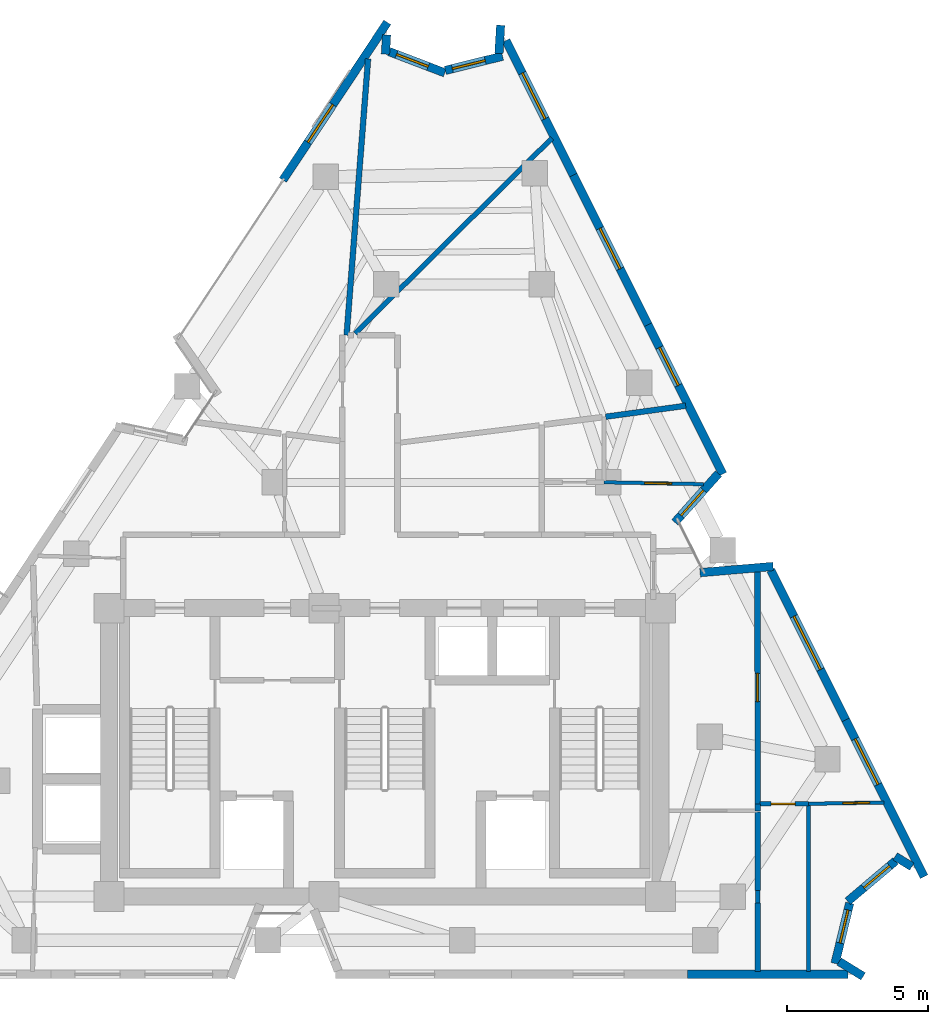
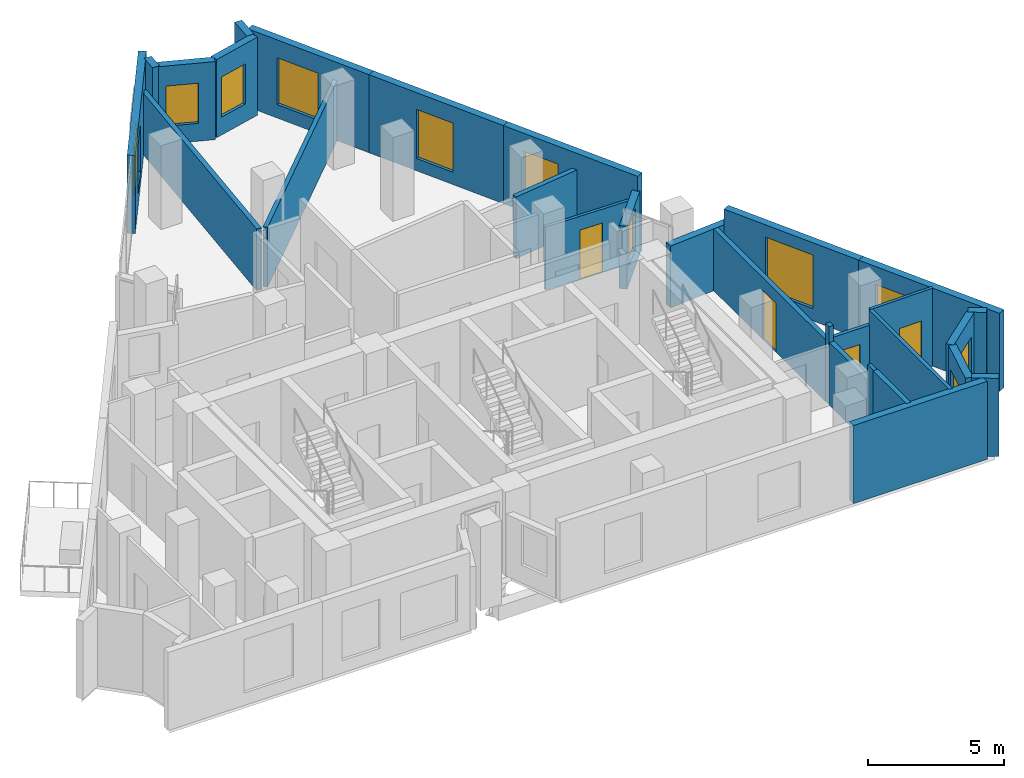
# One storey, part 7 of 10: 29 walls, 11 windows, 4 doors, 15 openings.
"""IFC4 building model written with IfcOpenShell, lengths in metres."""

from ifc_helpers import new_model, si_unit, direction, frame, frame_2d, origin, place, context, subcontext, project, spatial, rectangle, extrude, material, layer, layer_set, type_object, element, fill, save


model = new_model("IFC4")

# Units and contexts
model_context = context("Model", 3, precision=1e-05, world=origin(), true_north=direction((0.0, 1.0)))
body_context = subcontext(model_context, "Body", "Model", "MODEL_VIEW")
ifc_project = project(units=[si_unit("LENGTHUNIT", "METRE"), si_unit("AREAUNIT", "SQUARE_METRE"), si_unit("VOLUMEUNIT", "CUBIC_METRE"), si_unit("PLANEANGLEUNIT", "RADIAN"), si_unit("MASSUNIT", "GRAM", prefix="KILO")], contexts=[model_context])

# Site, building, storey
site_placement = place(None, origin())
site = spatial("IfcSite", under=ifc_project, at=site_placement, CompositionType="ELEMENT")
building_placement = place(site_placement, origin())
building = spatial("IfcBuilding", under=site, at=building_placement, Name="Almagre Mirador Tower", CompositionType="ELEMENT")
storey_placement = place(building_placement, frame((0.0, 0.0, 255.75)))
storey = spatial("IfcBuildingStorey", under=building, at=storey_placement, Name="L66", CompositionType="ELEMENT", Elevation=255.75)

# Wall, opening, window
ifc_material_1 = material(Name="Precast concrete C50/60", Category="concrete")
ifc_layer_1 = layer(ifc_material_1, 0.300048828125)
ifc_layer_set_1 = layer_set([ifc_layer_1], Name="Precast concrete C50/60")
wall_type_1 = type_object("IfcWallType", Name="WAL-EXT-300", PredefinedType="SOLIDWALL", material=ifc_layer_set_1)
wall_1_placement = place(storey_placement, frame((33.698974609375, 29.887939453125, 0.0), z_axis=(0.0, 0.0, 1.0), x_axis=(0.552111744248, 0.833770125312, 0.0)))
wall_1 = element("IfcWall", 1, at=wall_1_placement, inside=storey, type_object=wall_type_1, Name="L66 expressed almagre precast frame wall 03", PredefinedType="SOLIDWALL", context=body_context, shape_type="SweptSolid", body=[
    extrude(rectangle(XDim=6.68896484375, YDim=0.300048828125, at=frame_2d((3.344482421875, 0.0))), origin(), (0.0, 0.0, 1.0), 3.5),
])
opening_1_placement = place(wall_1_placement, frame((1.60009765625, 0.0, 0.550048828125)))
opening_1 = element("IfcOpeningElement", 2, at=opening_1_placement, cuts=wall_1, Name="Opening WN-06", PredefinedType="OPENING", context=body_context, shape_type="SweptSolid", body=[
    extrude(rectangle(XDim=1.60009765625, YDim=2.199951171875, at=frame_2d((0.800048828125, 1.10009765625))), frame((0.0, 0.159902, 0.0), z_axis=(0.0, -1.0, 0.0), x_axis=(1.0, 0.0, 0.0)), (0.0, 0.0, 1.0), 0.320049),
])
ifc_material_2 = material(Name="Dark solar-control laminated hurricane glass", Category="glass")
window_type_1 = type_object("IfcWindowType", Name="WIN-1600X2200", PartitioningType="DOUBLE_PANEL_VERTICAL", PredefinedType="WINDOW", material=ifc_material_2)
window_1_placement = place(opening_1_placement, origin())
window_1 = element("IfcWindow", 3, at=window_1_placement, inside=storey, type_object=window_type_1, Name="L66 recessed hurricane window L66-UH-KT", OverallHeight=2.199951171875, OverallWidth=1.60009765625, PartitioningType="SINGLE_PANEL", PredefinedType="WINDOW", context=body_context, shape_type="SweptSolid", body=[
    extrude(rectangle(XDim=1.60009765625, YDim=2.199951171875, at=frame_2d((0.800048828125, 1.10009765625))), frame((0.0, 0.030029296875, 0.0), z_axis=(0.0, -1.0, 0.0), x_axis=(1.0, 0.0, 0.0)), (0.0, 0.0, 1.0), 0.06005859375),
])
fill(opening_1, window_1)

# Wall
wall_2_placement = place(storey_placement, frame((37.364990234375, 35.020751953125, 0.0), z_axis=(0.0, 0.0, 1.0), x_axis=(-0.060624262888, -0.998160657785, 0.0)))
element("IfcWall", 4, at=wall_2_placement, inside=storey, type_object=wall_type_1, Name="L66 expressed almagre precast frame wall 04", PredefinedType="SOLIDWALL", context=body_context, shape_type="SweptSolid", body=[
    extrude(rectangle(XDim=0.6845703125, YDim=0.300048828125, at=frame_2d((0.34228515625, 0.0))), origin(), (0.0, 0.0, 1.0), 3.5),
])

# Wall, opening, window
wall_3_placement = place(storey_placement, frame((37.45361328125, 34.4306640625, 0.0), z_axis=(0.0, 0.0, 1.0), x_axis=(0.934285742141, -0.356525107155, 0.0)))
wall_3 = element("IfcWall", 5, at=wall_3_placement, inside=storey, type_object=wall_type_1, Name="L66 expressed almagre precast frame wall 05", PredefinedType="SOLIDWALL", context=body_context, shape_type="SweptSolid", body=[
    extrude(rectangle(XDim=2.107666015625, YDim=0.300048828125, at=frame_2d((1.0537109375, 0.0))), origin(), (0.0, 0.0, 1.0), 3.5),
])
opening_2_placement = place(wall_3_placement, frame((0.280029296875, 0.0, 0.800048828125)))
opening_2 = element("IfcOpeningElement", 6, at=opening_2_placement, cuts=wall_3, Name="Opening WN-04", PredefinedType="OPENING", context=body_context, shape_type="SweptSolid", body=[
    extrude(rectangle(XDim=1.199951171875, YDim=1.800048828125, at=frame_2d((0.60009765625, 0.89990234375))), frame((0.0, 0.159902, 0.0), z_axis=(0.0, -1.0, 0.0), x_axis=(1.0, 0.0, 0.0)), (0.0, 0.0, 1.0), 0.320049),
])
ifc_material_3 = material(Name="Dark solar-control laminated hurricane glass", Category="glass")
window_type_2 = type_object("IfcWindowType", Name="WIN-1200X1800", PartitioningType="SINGLE_PANEL", PredefinedType="WINDOW", material=ifc_material_3)
window_2_placement = place(opening_2_placement, origin())
window_2 = element("IfcWindow", 7, at=window_2_placement, inside=storey, type_object=window_type_2, Name="L66 recessed hurricane window L66-RST-K", OverallHeight=1.800048828125, OverallWidth=1.199951171875, PartitioningType="SINGLE_PANEL", PredefinedType="WINDOW", context=body_context, shape_type="SweptSolid", body=[
    extrude(rectangle(XDim=1.199951171875, YDim=1.800048828125, at=frame_2d((0.60009765625, 0.89990234375))), frame((0.0, 0.030029296875, 0.0), z_axis=(0.0, -1.0, 0.0), x_axis=(1.0, 0.0, 0.0)), (0.0, 0.0, 1.0), 0.06005859375),
])
fill(opening_2, window_2)

wall_4_placement = place(storey_placement, frame((39.4423828125, 33.766357421875, 0.0), z_axis=(0.0, 0.0, 1.0), x_axis=(0.970636719037, 0.240550118805, 0.0)))
wall_4 = element("IfcWall", 8, at=wall_4_placement, inside=storey, type_object=wall_type_1, Name="L66 expressed almagre precast frame wall 06", PredefinedType="SOLIDWALL", context=body_context, shape_type="SweptSolid", body=[
    extrude(rectangle(XDim=2.083740234375, YDim=0.300048828125, at=frame_2d((1.0419921875, 0.0))), origin(), (0.0, 0.0, 1.0), 3.5),
])
opening_3_placement = place(wall_4_placement, frame((0.2548828125, 0.0, 0.800048828125)))
opening_3 = element("IfcOpeningElement", 9, at=opening_3_placement, cuts=wall_4, Name="Opening WN-04", PredefinedType="OPENING", context=body_context, shape_type="SweptSolid", body=[
    extrude(rectangle(XDim=1.199951171875, YDim=1.800048828125, at=frame_2d((0.60009765625, 0.89990234375))), frame((0.0, 0.159902, 0.0), z_axis=(0.0, -1.0, 0.0), x_axis=(1.0, 0.0, 0.0)), (0.0, 0.0, 1.0), 0.320049),
])
window_3_placement = place(opening_3_placement, origin())
window_3 = element("IfcWindow", 10, at=window_3_placement, inside=storey, type_object=window_type_2, Name="L66 recessed hurricane window L66-RST-K", OverallHeight=1.800048828125, OverallWidth=1.199951171875, PartitioningType="SINGLE_PANEL", PredefinedType="WINDOW", context=body_context, shape_type="SweptSolid", body=[
    extrude(rectangle(XDim=1.199951171875, YDim=1.800048828125, at=frame_2d((0.60009765625, 0.89990234375))), frame((0.0, 0.030029296875, 0.0), z_axis=(0.0, -1.0, 0.0), x_axis=(1.0, 0.0, 0.0)), (0.0, 0.0, 1.0), 0.06005859375),
])
fill(opening_3, window_3)

# Wall
wall_5_placement = place(storey_placement, frame((41.3369140625, 34.36376953125, 0.0), z_axis=(0.0, 0.0, 1.0), x_axis=(0.060554036278, 0.998164920587, 0.0)))
element("IfcWall", 11, at=wall_5_placement, inside=storey, type_object=wall_type_1, Name="L66 expressed almagre precast frame wall 07", PredefinedType="SOLIDWALL", context=body_context, shape_type="SweptSolid", body=[
    extrude(rectangle(XDim=1.0, YDim=0.300048828125, at=frame_2d((0.5, 0.0))), origin(), (0.0, 0.0, 1.0), 3.5),
])

# Wall, opening, window
wall_6_placement = place(storey_placement, frame((41.587890625, 34.823974609375, 0.0), z_axis=(0.0, 0.0, 1.0), x_axis=(0.4472135955, -0.894427191, 0.0)))
wall_6 = element("IfcWall", 12, at=wall_6_placement, inside=storey, type_object=wall_type_1, Name="L66 expressed almagre precast frame wall 08", PredefinedType="SOLIDWALL", context=body_context, shape_type="SweptSolid", body=[
    extrude(rectangle(XDim=5.325927734375, YDim=0.300048828125, at=frame_2d((2.6630859375, 0.0))), origin(), (0.0, 0.0, 1.0), 3.5),
])
opening_4_placement = place(wall_6_placement, frame((1.2900390625, 0.0, 0.60009765625)))
opening_4 = element("IfcOpeningElement", 13, at=opening_4_placement, cuts=wall_6, Name="Opening WN-01", PredefinedType="OPENING", context=body_context, shape_type="SweptSolid", body=[
    extrude(rectangle(XDim=1.800048828125, YDim=2.10009765625, at=frame_2d((0.89990234375, 1.050048828125))), frame((0.0, 0.159902, 0.0), z_axis=(0.0, -1.0, 0.0), x_axis=(1.0, 0.0, 0.0)), (0.0, 0.0, 1.0), 0.320049),
])
ifc_material_4 = material(Name="Dark solar-control laminated hurricane glass", Category="glass")
window_type_3 = type_object("IfcWindowType", Name="WIN-1800X2100", PartitioningType="DOUBLE_PANEL_VERTICAL", PredefinedType="WINDOW", material=ifc_material_4)
window_4_placement = place(opening_4_placement, origin())
window_4 = element("IfcWindow", 14, at=window_4_placement, inside=storey, type_object=window_type_3, Name="L66 recessed hurricane window L66-RST-K", OverallHeight=2.10009765625, OverallWidth=1.800048828125, PartitioningType="SINGLE_PANEL", PredefinedType="WINDOW", context=body_context, shape_type="SweptSolid", body=[
    extrude(rectangle(XDim=1.800048828125, YDim=2.10009765625, at=frame_2d((0.89990234375, 1.050048828125))), frame((0.0, 0.030029296875, 0.0), z_axis=(0.0, -1.0, 0.0), x_axis=(1.0, 0.0, 0.0)), (0.0, 0.0, 1.0), 0.06005859375),
])
fill(opening_4, window_4)

wall_7_placement = place(storey_placement, frame((43.9697265625, 30.060302734375, 0.0), z_axis=(0.0, 0.0, 1.0), x_axis=(0.447246638907, -0.894410668534, 0.0)))
wall_7 = element("IfcWall", 15, at=wall_7_placement, inside=storey, type_object=wall_type_1, Name="L66 expressed almagre precast frame wall 09", PredefinedType="SOLIDWALL", context=body_context, shape_type="SweptSolid", body=[
    extrude(rectangle(XDim=5.91064453125, YDim=0.300048828125, at=frame_2d((2.955322265625, 0.0))), origin(), (0.0, 0.0, 1.0), 3.5),
])
opening_5_placement = place(wall_7_placement, frame((2.10009765625, 0.0, 0.550048828125)))
opening_5 = element("IfcOpeningElement", 16, at=opening_5_placement, cuts=wall_7, Name="Opening WN-06", PredefinedType="OPENING", context=body_context, shape_type="SweptSolid", body=[
    extrude(rectangle(XDim=1.60009765625, YDim=2.199951171875, at=frame_2d((0.800048828125, 1.10009765625))), frame((0.0, 0.159902, 0.0), z_axis=(0.0, -1.0, 0.0), x_axis=(1.0, 0.0, 0.0)), (0.0, 0.0, 1.0), 0.320049),
])
window_5_placement = place(opening_5_placement, origin())
window_5 = element("IfcWindow", 17, at=window_5_placement, inside=storey, type_object=window_type_1, Name="L66 recessed hurricane window L66-RST-J", OverallHeight=2.199951171875, OverallWidth=1.60009765625, PartitioningType="SINGLE_PANEL", PredefinedType="WINDOW", context=body_context, shape_type="SweptSolid", body=[
    extrude(rectangle(XDim=1.60009765625, YDim=2.199951171875, at=frame_2d((0.800048828125, 1.10009765625))), frame((0.0, 0.030029296875, 0.0), z_axis=(0.0, -1.0, 0.0), x_axis=(1.0, 0.0, 0.0)), (0.0, 0.0, 1.0), 0.06005859375),
])
fill(opening_5, window_5)

wall_8_placement = place(storey_placement, frame((46.61328125, 24.773681640625, 0.0), z_axis=(0.0, 0.0, 1.0), x_axis=(0.447197073873, -0.894435451623, 0.0)))
wall_8 = element("IfcWall", 18, at=wall_8_placement, inside=storey, type_object=wall_type_1, Name="L66 expressed almagre precast frame wall 10", PredefinedType="SOLIDWALL", context=body_context, shape_type="SweptSolid", body=[
    extrude(rectangle(XDim=5.910888671875, YDim=0.300048828125, at=frame_2d((2.95556640625, 0.0))), origin(), (0.0, 0.0, 1.0), 3.5),
])
opening_6_placement = place(wall_8_placement, frame((0.89990234375, 0.0, 0.60009765625)))
opening_6 = element("IfcOpeningElement", 19, at=opening_6_placement, cuts=wall_8, Name="Opening WN-03", PredefinedType="OPENING", context=body_context, shape_type="SweptSolid", body=[
    extrude(rectangle(XDim=1.5, YDim=2.10009765625, at=frame_2d((0.75, 1.050048828125))), frame((0.0, 0.159902, 0.0), z_axis=(0.0, -1.0, 0.0), x_axis=(1.0, 0.0, 0.0)), (0.0, 0.0, 1.0), 0.320049),
])
ifc_material_5 = material(Name="Dark solar-control laminated hurricane glass", Category="glass")
window_type_4 = type_object("IfcWindowType", Name="WIN-1500X2100", PartitioningType="DOUBLE_PANEL_VERTICAL", PredefinedType="WINDOW", material=ifc_material_5)
window_6_placement = place(opening_6_placement, origin())
window_6 = element("IfcWindow", 20, at=window_6_placement, inside=storey, type_object=window_type_4, Name="L66 recessed hurricane window L66-RST-J", OverallHeight=2.10009765625, OverallWidth=1.5, PartitioningType="SINGLE_PANEL", PredefinedType="WINDOW", context=body_context, shape_type="SweptSolid", body=[
    extrude(rectangle(XDim=1.5, YDim=2.10009765625, at=frame_2d((0.75, 1.050048828125))), frame((0.0, 0.030029296875, 0.0), z_axis=(0.0, -1.0, 0.0), x_axis=(1.0, 0.0, 0.0)), (0.0, 0.0, 1.0), 0.06005859375),
])
fill(opening_6, window_6)

wall_9_placement = place(storey_placement, frame((49.1005859375, 19.507568359375, 0.0), z_axis=(0.0, 0.0, 1.0), x_axis=(-0.665927695229, -0.746016289854, 0.0)))
wall_9 = element("IfcWall", 21, at=wall_9_placement, inside=storey, type_object=wall_type_1, Name="L66 expressed almagre precast frame wall 11", PredefinedType="SOLIDWALL", context=body_context, shape_type="SweptSolid", body=[
    extrude(rectangle(XDim=2.313720703125, YDim=0.300048828125, at=frame_2d((1.15673828125, 0.0))), origin(), (0.0, 0.0, 1.0), 2.824951171875),
])
opening_7_placement = place(wall_9_placement, frame((0.78759765625, 0.0, 0.800048828125)))
opening_7 = element("IfcOpeningElement", 22, at=opening_7_placement, cuts=wall_9, Name="Opening WN-04", PredefinedType="OPENING", context=body_context, shape_type="SweptSolid", body=[
    extrude(rectangle(XDim=1.199951171875, YDim=1.800048828125, at=frame_2d((0.60009765625, 0.89990234375))), frame((0.0, 0.159902, 0.0), z_axis=(0.0, -1.0, 0.0), x_axis=(1.0, 0.0, 0.0)), (0.0, 0.0, 1.0), 0.320049),
])
window_7_placement = place(opening_7_placement, origin())
window_7 = element("IfcWindow", 23, at=window_7_placement, inside=storey, type_object=window_type_2, Name="L66 recessed hurricane window UG-ST", OverallHeight=1.800048828125, OverallWidth=1.199951171875, PartitioningType="SINGLE_PANEL", PredefinedType="WINDOW", context=body_context, shape_type="SweptSolid", body=[
    extrude(rectangle(XDim=1.199951171875, YDim=1.800048828125, at=frame_2d((0.60009765625, 0.89990234375))), frame((0.0, 0.030029296875, 0.0), z_axis=(0.0, -1.0, 0.0), x_axis=(1.0, 0.0, 0.0)), (0.0, 0.0, 1.0), 0.06005859375),
])
fill(opening_7, window_7)

# Wall
wall_10_placement = place(storey_placement, frame((48.448486328125, 16.004150390625, 0.0), z_axis=(0.0, 0.0, 1.0), x_axis=(0.996372236954, 0.085102088266, 0.0)))
element("IfcWall", 24, at=wall_10_placement, inside=storey, type_object=wall_type_1, Name="L66 expressed almagre precast frame wall 12", PredefinedType="SOLIDWALL", context=body_context, shape_type="SweptSolid", body=[
    extrude(rectangle(XDim=2.593505859375, YDim=0.300048828125, at=frame_2d((1.296875, 0.0))), origin(), (0.0, 0.0, 1.0), 2.76904296875),
])

# Wall, opening, window
wall_11_placement = place(storey_placement, frame((50.953369140625, 16.09228515625, 0.0), z_axis=(0.0, 0.0, 1.0), x_axis=(0.447246574942, -0.894410700519, 0.0)))
wall_11 = element("IfcWall", 25, at=wall_11_placement, inside=storey, type_object=wall_type_1, Name="L66 expressed almagre precast frame wall 13", PredefinedType="SOLIDWALL", context=body_context, shape_type="SweptSolid", body=[
    extrude(rectangle(XDim=5.922119140625, YDim=0.300048828125, at=frame_2d((2.9609375, 0.0))), origin(), (0.0, 0.0, 1.0), 3.5),
])
opening_8_placement = place(wall_11_placement, frame((1.824951171875, 0.0, 0.550048828125)))
opening_8 = element("IfcOpeningElement", 26, at=opening_8_placement, cuts=wall_11, Name="Opening WN-05", PredefinedType="OPENING", context=body_context, shape_type="SweptSolid", body=[
    extrude(rectangle(XDim=2.10009765625, YDim=2.39990234375, at=frame_2d((1.050048828125, 1.199951171875))), frame((0.0, 0.159902, 0.0), z_axis=(0.0, -1.0, 0.0), x_axis=(1.0, 0.0, 0.0)), (0.0, 0.0, 1.0), 0.320049),
])
ifc_material_6 = material(Name="Dark solar-control laminated hurricane glass", Category="glass")
window_type_5 = type_object("IfcWindowType", Name="WIN-2100X2400", PartitioningType="DOUBLE_PANEL_VERTICAL", PredefinedType="WINDOW", material=ifc_material_6)
window_8_placement = place(opening_8_placement, origin())
window_8 = element("IfcWindow", 27, at=window_8_placement, inside=storey, type_object=window_type_5, Name="L66 recessed hurricane window L66-UD-ST", OverallHeight=2.39990234375, OverallWidth=2.10009765625, PartitioningType="SINGLE_PANEL", PredefinedType="WINDOW", context=body_context, shape_type="SweptSolid", body=[
    extrude(rectangle(XDim=2.10009765625, YDim=2.39990234375, at=frame_2d((1.050048828125, 1.199951171875))), frame((0.0, 0.030029296875, 0.0), z_axis=(0.0, -1.0, 0.0), x_axis=(1.0, 0.0, 0.0)), (0.0, 0.0, 1.0), 0.06005859375),
])
fill(opening_8, window_8)

wall_12_placement = place(storey_placement, frame((53.60205078125, 10.79541015625, 0.0), z_axis=(0.0, 0.0, 1.0), x_axis=(0.447229354041, -0.894419311556, 0.0)))
wall_12 = element("IfcWall", 28, at=wall_12_placement, inside=storey, type_object=wall_type_1, Name="L66 expressed almagre precast frame wall 14", PredefinedType="SOLIDWALL", context=body_context, shape_type="SweptSolid", body=[
    extrude(rectangle(XDim=6.197021484375, YDim=0.300048828125, at=frame_2d((3.0986328125, 0.0))), origin(), (0.0, 0.0, 1.0), 3.5),
])
opening_9_placement = place(wall_12_placement, frame((0.75, 0.0, 0.60009765625)))
opening_9 = element("IfcOpeningElement", 29, at=opening_9_placement, cuts=wall_12, Name="Opening WN-01", PredefinedType="OPENING", context=body_context, shape_type="SweptSolid", body=[
    extrude(rectangle(XDim=1.800048828125, YDim=2.10009765625, at=frame_2d((0.89990234375, 1.050048828125))), frame((0.0, 0.159902, 0.0), z_axis=(0.0, -1.0, 0.0), x_axis=(1.0, 0.0, 0.0)), (0.0, 0.0, 1.0), 0.320049),
])
window_9_placement = place(opening_9_placement, origin())
window_9 = element("IfcWindow", 30, at=window_9_placement, inside=storey, type_object=window_type_3, Name="L66 recessed hurricane window L66-UD-ST", OverallHeight=2.10009765625, OverallWidth=1.800048828125, PartitioningType="SINGLE_PANEL", PredefinedType="WINDOW", context=body_context, shape_type="SweptSolid", body=[
    extrude(rectangle(XDim=1.800048828125, YDim=2.10009765625, at=frame_2d((0.89990234375, 1.050048828125))), frame((0.0, 0.030029296875, 0.0), z_axis=(0.0, -1.0, 0.0), x_axis=(1.0, 0.0, 0.0)), (0.0, 0.0, 1.0), 0.06005859375),
])
fill(opening_9, window_9)

# Wall
wall_13_placement = place(storey_placement, frame((55.94091796875, 5.606689453125, 0.0), z_axis=(0.0, 0.0, 1.0), x_axis=(-0.850848828595, 0.525410573626, 0.0)))
element("IfcWall", 31, at=wall_13_placement, inside=storey, type_object=wall_type_1, Name="L66 expressed almagre precast frame wall 15", PredefinedType="SOLIDWALL", context=body_context, shape_type="SweptSolid", body=[
    extrude(rectangle(XDim=0.694580078125, YDim=0.300048828125, at=frame_2d((0.34716796875, 0.0))), origin(), (0.0, 0.0, 1.0), 3.5),
])

# Wall, opening, window
wall_14_placement = place(storey_placement, frame((55.365966796875, 5.810791015625, 0.0), z_axis=(0.0, 0.0, 1.0), x_axis=(-0.764070930708, -0.645132244464, 0.0)))
wall_14 = element("IfcWall", 32, at=wall_14_placement, inside=storey, type_object=wall_type_1, Name="L66 expressed almagre precast frame wall 16", PredefinedType="SOLIDWALL", context=body_context, shape_type="SweptSolid", body=[
    extrude(rectangle(XDim=2.216796875, YDim=0.300048828125, at=frame_2d((1.1083984375, 0.0))), origin(), (0.0, 0.0, 1.0), 3.5),
])
opening_10_placement = place(wall_14_placement, frame((0.27490234375, 0.0, 0.800048828125)))
opening_10 = element("IfcOpeningElement", 33, at=opening_10_placement, cuts=wall_14, Name="Opening WN-04", PredefinedType="OPENING", context=body_context, shape_type="SweptSolid", body=[
    extrude(rectangle(XDim=1.199951171875, YDim=1.800048828125, at=frame_2d((0.60009765625, 0.89990234375))), frame((0.0, 0.159902, 0.0), z_axis=(0.0, -1.0, 0.0), x_axis=(1.0, 0.0, 0.0)), (0.0, 0.0, 1.0), 0.320049),
])
window_10_placement = place(opening_10_placement, origin())
window_10 = element("IfcWindow", 34, at=window_10_placement, inside=storey, type_object=window_type_2, Name="L66 recessed hurricane window L66-UD-KT", OverallHeight=1.800048828125, OverallWidth=1.199951171875, PartitioningType="SINGLE_PANEL", PredefinedType="WINDOW", context=body_context, shape_type="SweptSolid", body=[
    extrude(rectangle(XDim=1.199951171875, YDim=1.800048828125, at=frame_2d((0.60009765625, 0.89990234375))), frame((0.0, 0.030029296875, 0.0), z_axis=(0.0, -1.0, 0.0), x_axis=(1.0, 0.0, 0.0)), (0.0, 0.0, 1.0), 0.06005859375),
])
fill(opening_10, window_10)

wall_15_placement = place(storey_placement, frame((53.742431640625, 4.3203125, 0.0), z_axis=(0.0, 0.0, 1.0), x_axis=(-0.235342539944, -0.971912490347, 0.0)))
wall_15 = element("IfcWall", 35, at=wall_15_placement, inside=storey, type_object=wall_type_1, Name="L66 expressed almagre precast frame wall 17", PredefinedType="SOLIDWALL", context=body_context, shape_type="SweptSolid", body=[
    extrude(rectangle(XDim=2.1982421875, YDim=0.300048828125, at=frame_2d((1.09912109375, 0.0))), origin(), (0.0, 0.0, 1.0), 3.5),
])
opening_11_placement = place(wall_15_placement, frame((0.2548828125, 0.0, 0.800048828125)))
opening_11 = element("IfcOpeningElement", 36, at=opening_11_placement, cuts=wall_15, Name="Opening WN-04", PredefinedType="OPENING", context=body_context, shape_type="SweptSolid", body=[
    extrude(rectangle(XDim=1.199951171875, YDim=1.800048828125, at=frame_2d((0.60009765625, 0.89990234375))), frame((0.0, 0.159902, 0.0), z_axis=(0.0, -1.0, 0.0), x_axis=(1.0, 0.0, 0.0)), (0.0, 0.0, 1.0), 0.320049),
])
window_11_placement = place(opening_11_placement, origin())
window_11 = element("IfcWindow", 37, at=window_11_placement, inside=storey, type_object=window_type_2, Name="L66 recessed hurricane window L66-UD-KT", OverallHeight=1.800048828125, OverallWidth=1.199951171875, PartitioningType="SINGLE_PANEL", PredefinedType="WINDOW", context=body_context, shape_type="SweptSolid", body=[
    extrude(rectangle(XDim=1.199951171875, YDim=1.800048828125, at=frame_2d((0.60009765625, 0.89990234375))), frame((0.0, 0.030029296875, 0.0), z_axis=(0.0, -1.0, 0.0), x_axis=(1.0, 0.0, 0.0)), (0.0, 0.0, 1.0), 0.06005859375),
])
fill(opening_11, window_11)

# Walls
wall_16_placement = place(storey_placement, frame((53.36865234375, 2.251708984375, 0.0), z_axis=(0.0, 0.0, 1.0), x_axis=(0.85071769282, -0.52562287538, 0.0)))
element("IfcWall", 38, at=wall_16_placement, inside=storey, type_object=wall_type_1, Name="L66 expressed almagre precast frame wall 18", PredefinedType="SOLIDWALL", context=body_context, shape_type="SweptSolid", body=[
    extrude(rectangle(XDim=0.99951171875, YDim=0.300048828125, at=frame_2d((0.499755859375, 0.0))), origin(), (0.0, 0.0, 1.0), 3.5),
])
wall_17_placement = place(storey_placement, frame((53.679931640625, 1.800048828125, 0.0), z_axis=(0.0, 0.0, 1.0), x_axis=(-1.0, 0.0, 0.0)))
element("IfcWall", 39, at=wall_17_placement, inside=storey, type_object=wall_type_1, Name="L66 expressed almagre precast frame wall 19", PredefinedType="SOLIDWALL", context=body_context, shape_type="SweptSolid", body=[
    extrude(rectangle(XDim=5.666748046875, YDim=0.300048828125, at=frame_2d((2.83349609375, 0.0))), origin(), (0.0, 0.0, 1.0), 3.5),
])

# Wall, opening, door
ifc_material_7 = material(Name="Gypsum acoustic stud partition", Category="other")
ifc_layer_2 = layer(ifc_material_7, 0.125)
ifc_layer_set_2 = layer_set([ifc_layer_2], Name="Gypsum acoustic stud partition")
wall_type_2 = type_object("IfcWallType", Name="WAL-PRT-125-UTL", PredefinedType="PARTITIONING", material=ifc_layer_set_2)
wall_18_placement = place(storey_placement, frame((52.280029296875, 7.830078125, 0.0), z_axis=(0.0, 0.0, 1.0), x_axis=(0.999858383407, 0.016828937298, 0.0)))
wall_18 = element("IfcWall", 40, at=wall_18_placement, inside=storey, type_object=wall_type_2, Name="L66 interior partition 031", PredefinedType="PARTITIONING", context=body_context, shape_type="SweptSolid", body=[
    extrude(rectangle(XDim=2.66943359375, YDim=0.125, at=frame_2d((1.334716796875, 0.0))), origin(), (0.0, 0.0, 1.0), 3.5),
])
opening_12_placement = place(wall_18_placement, frame((1.21728515625, 0.0, 0.0)))
opening_12 = element("IfcOpeningElement", 41, at=opening_12_placement, cuts=wall_18, Name="Opening UD-01", PredefinedType="OPENING", context=body_context, shape_type="SweptSolid", body=[
    extrude(rectangle(XDim=0.949951171875, YDim=2.199951171875, at=frame_2d((0.47509765625, 1.10009765625))), frame((0.0, 0.0725, 0.0), z_axis=(0.0, -1.0, 0.0), x_axis=(1.0, 0.0, 0.0)), (0.0, 0.0, 1.0), 0.145),
])
ifc_material_8 = material(Name="Solid American walnut timber", Category="wood")
door_type_1 = type_object("IfcDoorType", Name="DOR-UNR-950X2200", OperationType="NOTDEFINED", PredefinedType="DOOR", material=ifc_material_8)
door_1_placement = place(opening_12_placement, origin())
door_1 = element("IfcDoor", 42, at=door_1_placement, inside=storey, type_object=door_type_1, Name="DR-2026 L66 interior door L66-UD-ST to L66-UD-KT", OperationType="SINGLE_SWING_RIGHT", OverallHeight=2.199951171875, OverallWidth=0.949951171875, PredefinedType="DOOR", context=body_context, shape_type="SweptSolid", body=[
    extrude(rectangle(XDim=0.949951171875, YDim=2.199951171875, at=frame_2d((0.47509765625, 1.10009765625))), frame((0.0, 0.02490234375, 0.0), z_axis=(0.0, -1.0, 0.0), x_axis=(1.0, 0.0, 0.0)), (0.0, 0.0, 1.0), 0.050048828125),
])
fill(opening_12, door_1)

wall_19_placement = place(storey_placement, frame((48.574951171875, 19.132568359375, 0.0), z_axis=(0.0, 0.0, 1.0), x_axis=(-0.999817335108, 0.019112729221, 0.0)))
wall_19 = element("IfcWall", 43, at=wall_19_placement, inside=storey, type_object=wall_type_2, Name="L66 interior partition 040", PredefinedType="PARTITIONING", context=body_context, shape_type="SweptSolid", body=[
    extrude(rectangle(XDim=3.525634765625, YDim=0.125, at=frame_2d((1.7626953125, 0.0))), origin(), (0.0, 0.0, 1.0), 2.820068359375),
])
opening_13_placement = place(wall_19_placement, frame((1.13330078125, 0.0, 0.0)))
opening_13 = element("IfcOpeningElement", 44, at=opening_13_placement, cuts=wall_19, Name="Opening UD-01", PredefinedType="OPENING", context=body_context, shape_type="SweptSolid", body=[
    extrude(rectangle(XDim=0.949951171875, YDim=2.199951171875, at=frame_2d((0.47509765625, 1.10009765625))), frame((0.0, 0.0725, 0.0), z_axis=(0.0, -1.0, 0.0), x_axis=(1.0, 0.0, 0.0)), (0.0, 0.0, 1.0), 0.145),
])
door_2_placement = place(opening_13_placement, origin())
door_2 = element("IfcDoor", 45, at=door_2_placement, inside=storey, type_object=door_type_1, Name="DR-2032 L66 interior door L66-UG-ST to L66-UG-KT", OperationType="SINGLE_SWING_LEFT", OverallHeight=2.199951171875, OverallWidth=0.949951171875, PredefinedType="DOOR", context=body_context, shape_type="SweptSolid", body=[
    extrude(rectangle(XDim=0.949951171875, YDim=2.199951171875, at=frame_2d((0.47509765625, 1.10009765625))), frame((0.0, 0.02490234375, 0.0), z_axis=(0.0, -1.0, 0.0), x_axis=(1.0, 0.0, 0.0)), (0.0, 0.0, 1.0), 0.050048828125),
])
fill(opening_13, door_2)

ifc_material_9 = material(Name="Gypsum acoustic stud partition", Category="other")
ifc_layer_3 = layer(ifc_material_9, 0.14990234375)
ifc_layer_set_3 = layer_set([ifc_layer_3], Name="Gypsum acoustic stud partition")
wall_type_3 = type_object("IfcWallType", Name="WAL-PRT-150-STD", PredefinedType="PARTITIONING", material=ifc_layer_set_3)
wall_20_placement = place(storey_placement, frame((50.574951171875, 7.830078125, 0.0), z_axis=(0.0, 0.0, 1.0), x_axis=(1.0, 0.0, 0.0)))
wall_20 = element("IfcWall", 46, at=wall_20_placement, inside=storey, type_object=wall_type_3, Name="L66 interior partition 030", PredefinedType="PARTITIONING", context=body_context, shape_type="SweptSolid", body=[
    extrude(rectangle(XDim=1.705078125, YDim=0.14990234375, at=frame_2d((0.8525390625, 0.0))), origin(), (0.0, 0.0, 1.0), 2.820068359375),
])
opening_14_placement = place(wall_20_placement, frame((0.385009765625, 0.0, 0.0)))
opening_14 = element("IfcOpeningElement", 47, at=opening_14_placement, cuts=wall_20, Name="Opening UD-04", PredefinedType="OPENING", context=body_context, shape_type="SweptSolid", body=[
    extrude(rectangle(XDim=0.85009765625, YDim=2.10009765625, at=frame_2d((0.425048828125, 1.050048828125))), frame((0.0, 0.084951, 0.0), z_axis=(0.0, -1.0, 0.0), x_axis=(1.0, 0.0, 0.0)), (0.0, 0.0, 1.0), 0.169902),
])
ifc_material_10 = material(Name="Moisture-resistant oak timber", Category="wood")
door_type_2 = type_object("IfcDoorType", Name="DOR-UNR-850X2100", OperationType="NOTDEFINED", PredefinedType="DOOR", material=ifc_material_10)
door_3_placement = place(opening_14_placement, origin())
door_3 = element("IfcDoor", 48, at=door_3_placement, inside=storey, type_object=door_type_2, Name="DR-2027 L66 interior door L66-UD-ST to L66-UD-BT", OperationType="SINGLE_SWING_LEFT", OverallHeight=2.10009765625, OverallWidth=0.85009765625, PredefinedType="DOOR", context=body_context, shape_type="SweptSolid", body=[
    extrude(rectangle(XDim=0.85009765625, YDim=2.10009765625, at=frame_2d((0.425048828125, 1.050048828125))), frame((0.0, 0.02490234375, 0.0), z_axis=(0.0, -1.0, 0.0), x_axis=(1.0, 0.0, 0.0)), (0.0, 0.0, 1.0), 0.050048828125),
])
fill(opening_14, door_3)

# Walls
wall_21_placement = place(storey_placement, frame((52.280029296875, 1.89990234375, 0.0), z_axis=(0.0, 0.0, 1.0), x_axis=(0.0, 1.0, 0.0)))
element("IfcWall", 49, at=wall_21_placement, inside=storey, type_object=wall_type_3, Name="L66 interior partition 032", PredefinedType="PARTITIONING", context=body_context, shape_type="SweptSolid", body=[
    extrude(rectangle(XDim=5.8701171875, YDim=0.14990234375, at=frame_2d((2.93505859375, 0.0))), origin(), (0.0, 0.0, 1.0), 3.5),
])
wall_22_placement = place(storey_placement, frame((50.489990234375, 4.77001953125, 0.0), z_axis=(0.0, 0.0, 1.0), x_axis=(0.0, -1.0, 0.0)))
element("IfcWall", 50, at=wall_22_placement, inside=storey, type_object=wall_type_3, Name="L66 interior partition 050", PredefinedType="PARTITIONING", context=body_context, shape_type="SweptSolid", body=[
    extrude(rectangle(XDim=0.43994140625, YDim=0.14990234375, at=frame_2d((0.219970703125, 0.0))), origin(), (0.0, 0.0, 1.0), 3.5),
])
ifc_material_11 = material(Name="Gypsum acoustic stud partition", Category="other")
ifc_layer_4 = layer(ifc_material_11, 0.175048828125)
ifc_layer_set_4 = layer_set([ifc_layer_4], Name="Gypsum acoustic stud partition")
wall_type_4 = type_object("IfcWallType", Name="WAL-PRT-175-AC", PredefinedType="PARTITIONING", material=ifc_layer_set_4)
wall_23_placement = place(storey_placement, frame((43.2109375, 31.368896484375, 0.0), z_axis=(0.0, 0.0, 1.0), x_axis=(-0.709740576129, -0.704463139275, 0.0)))
element("IfcWall", 51, at=wall_23_placement, inside=storey, type_object=wall_type_4, Name="L66 interior partition 048", PredefinedType="PARTITIONING", context=body_context, shape_type="SweptSolid", body=[
    extrude(rectangle(XDim=9.807373046875, YDim=0.175048828125, at=frame_2d((4.90380859375, 0.0))), origin(), (0.0, 0.0, 1.0), 2.68505859375),
])

# Wall, opening, door
ifc_material_12 = material(Name="Gypsum acoustic stud partition", Category="other")
ifc_layer_5 = layer(ifc_material_12, 0.199951171875)
ifc_layer_set_5 = layer_set([ifc_layer_5], Name="Gypsum acoustic stud partition")
wall_type_5 = type_object("IfcWallType", Name="WAL-PRT-200-EI60", PredefinedType="PARTITIONING", material=ifc_layer_set_5)
wall_24_placement = place(storey_placement, frame((50.489990234375, 7.830078125, 0.0), z_axis=(0.0, 0.0, 1.0), x_axis=(-0.001332029721, 0.999999112848, 0.0)))
wall_24 = element("IfcWall", 52, at=wall_24_placement, inside=storey, type_object=wall_type_5, Name="L66 interior partition 025", PredefinedType="PARTITIONING", context=body_context, shape_type="SweptSolid", body=[
    extrude(rectangle(XDim=8.247802734375, YDim=0.199951171875, at=frame_2d((4.1240234375, 0.0))), origin(), (0.0, 0.0, 1.0), 2.763916015625),
])
opening_15_placement = place(wall_24_placement, frame((3.614013671875, 0.0, 0.0)))
opening_15 = element("IfcOpeningElement", 53, at=opening_15_placement, cuts=wall_24, Name="Opening ID-01", PredefinedType="OPENING", context=body_context, shape_type="SweptSolid", body=[
    extrude(rectangle(XDim=1.0, YDim=2.199951171875, at=frame_2d((0.5, 1.10009765625))), frame((0.0, 0.110098, 0.0), z_axis=(0.0, -1.0, 0.0), x_axis=(1.0, 0.0, 0.0)), (0.0, 0.0, 1.0), 0.219951),
])
ifc_material_13 = material(Name="Fire-rated walnut timber", Category="wood")
door_type_3 = type_object("IfcDoorType", Name="DOR-FD60-1000X2200", OperationType="NOTDEFINED", PredefinedType="DOOR", material=ifc_material_13)
door_4_placement = place(opening_15_placement, origin())
door_4 = element("IfcDoor", 54, at=door_4_placement, inside=storey, type_object=door_type_3, Name="DR-2035 L66 interior door L66-UC-ST to L66-UD-ST", OperationType="SINGLE_SWING_RIGHT", OverallHeight=2.199951171875, OverallWidth=1.0, PredefinedType="DOOR", context=body_context, shape_type="SweptSolid", body=[
    extrude(rectangle(XDim=1.0, YDim=2.199951171875, at=frame_2d((0.5, 1.10009765625))), frame((0.0, 0.02490234375, 0.0), z_axis=(0.0, -1.0, 0.0), x_axis=(1.0, 0.0, 0.0)), (0.0, 0.0, 1.0), 0.050048828125),
])
fill(opening_15, door_4)

# Walls
wall_25_placement = place(storey_placement, frame((50.489990234375, 7.580078125, 0.0), z_axis=(0.0, 0.0, 1.0), x_axis=(0.0, 1.0, 0.0)))
element("IfcWall", 55, at=wall_25_placement, inside=storey, type_object=wall_type_5, Name="L66 interior partition 026", PredefinedType="PARTITIONING", context=body_context, shape_type="SweptSolid", body=[
    extrude(rectangle(XDim=0.25, YDim=0.199951171875, at=frame_2d((0.125, 0.0))), origin(), (0.0, 0.0, 1.0), 3.5),
])
wall_26_placement = place(storey_placement, frame((50.489990234375, 1.89990234375, 0.0), z_axis=(0.0, 0.0, 1.0), x_axis=(0.0, 1.0, 0.0)))
element("IfcWall", 56, at=wall_26_placement, inside=storey, type_object=wall_type_5, Name="L66 interior partition 028", PredefinedType="PARTITIONING", context=body_context, shape_type="SweptSolid", body=[
    extrude(rectangle(XDim=2.43017578125, YDim=0.199951171875, at=frame_2d((1.215087890625, 0.0))), origin(), (0.0, 0.0, 1.0), 3.5),
])
wall_27_placement = place(storey_placement, frame((50.489990234375, 4.77001953125, 0.0), z_axis=(0.0, 0.0, 1.0), x_axis=(0.0, 1.0, 0.0)))
element("IfcWall", 57, at=wall_27_placement, inside=storey, type_object=wall_type_5, Name="L66 interior partition 029", PredefinedType="PARTITIONING", context=body_context, shape_type="SweptSolid", body=[
    extrude(rectangle(XDim=2.762451171875, YDim=0.199951171875, at=frame_2d((1.38134765625, 0.0))), origin(), (0.0, 0.0, 1.0), 2.820068359375),
])
wall_28_placement = place(storey_placement, frame((47.943115234375, 21.906005859375, 0.0), z_axis=(0.0, 0.0, 1.0), x_axis=(-0.990745822973, -0.135730299718, 0.0)))
element("IfcWall", 58, at=wall_28_placement, inside=storey, type_object=wall_type_5, Name="L66 interior partition 043", PredefinedType="PARTITIONING", context=body_context, shape_type="SweptSolid", body=[
    extrude(rectangle(XDim=2.85986328125, YDim=0.199951171875, at=frame_2d((1.429931640625, 0.0))), origin(), (0.0, 0.0, 1.0), 2.763916015625),
])
wall_29_placement = place(storey_placement, frame((35.949951171875, 24.39990234375, 0.0), z_axis=(0.0, 0.0, 1.0), x_axis=(0.077621970398, 0.996982863299, 0.0)))
element("IfcWall", 59, at=wall_29_placement, inside=storey, type_object=wall_type_5, Name="L66 interior partition 047", PredefinedType="PARTITIONING", context=body_context, shape_type="SweptSolid", body=[
    extrude(rectangle(XDim=9.8037109375, YDim=0.199951171875, at=frame_2d((4.90185546875, 0.0))), origin(), (0.0, 0.0, 1.0), 2.763916015625),
])

save(model, "model.ifc")
